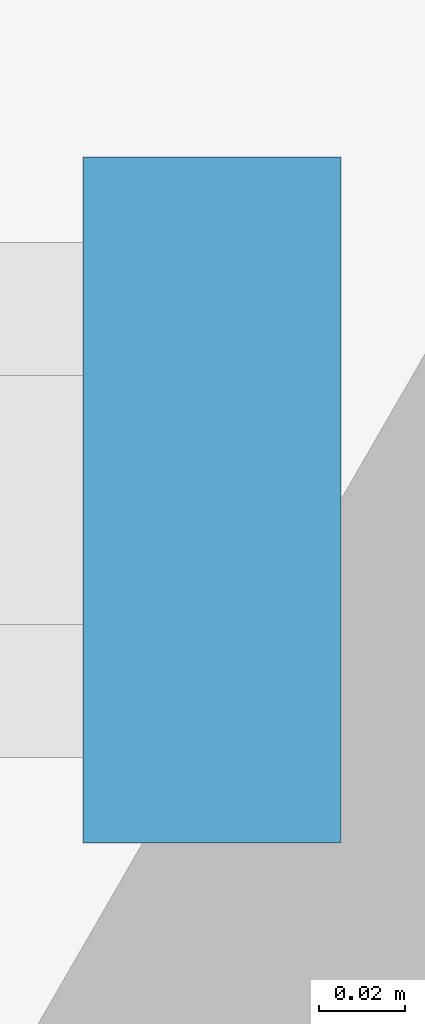
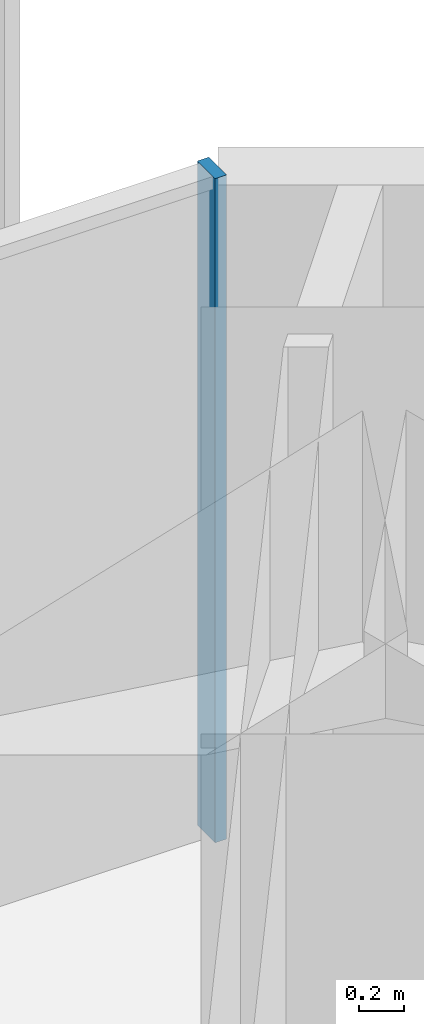
# One storey, part 109 of 127: 1 member, 1 element without a shape of its own.
"""IFC4 building model written with IfcOpenShell, lengths in metres."""

import ifcopenshell
import ifcopenshell.guid

model = None  # the IFC model being written
_history = None  # IfcOwnerHistory: only IFC2X3 demands one
_inside = {}  # id of a spatial element -> (the spatial element, [elements in it])
_under = {}  # id of a project, library or spatial element -> (it, [spatial elements below it])
_declared = {}  # id of a project -> (the project, [libraries it declares])
_typed = {}  # id of a type object -> (the type object, [elements of that type])
_made_of = {}  # id of a material, layer set ... -> (it, [elements and type objects made of it])


def new_model(schema):
    """Start an empty IFC model of exactly this schema.

    Asked for "IFC4X3", IfcOpenShell would pick the latest addendum, in which some entities
    have other attributes; the version numbers below select the first issue.
    IFC2X3 requires an IfcOwnerHistory on every rooted entity: one is made here for all.
    """
    global model, _history
    if schema == "IFC4X3":
        model = ifcopenshell.file(schema_version=(4, 3, 0, 0))
    else:
        model = ifcopenshell.file(schema=schema)
    _inside.clear()
    _under.clear()
    _declared.clear()
    _typed.clear()
    _made_of.clear()
    _history = None
    if model.schema == "IFC2X3":
        org = make("IfcOrganization", Name="unknown")
        user = make(
            "IfcPersonAndOrganization",
            ThePerson=make("IfcPerson", FamilyName="unknown"),
            TheOrganization=org,
        )
        app = make(
            "IfcApplication",
            ApplicationDeveloper=org,
            Version="unknown",
            ApplicationFullName="unknown",
            ApplicationIdentifier="unknown",
        )
        _history = make(
            "IfcOwnerHistory",
            OwningUser=user,
            OwningApplication=app,
            ChangeAction="ADDED",
            CreationDate=0,
        )
    return model


def make(cls, **values):
    """One entity of the class cls with the attributes given. An attribute that is None is left unset."""
    return model.create_entity(
        cls, **{name: value for name, value in values.items() if value is not None}
    )


def rooted(cls, **values):
    """An entity with a GlobalId (a new one), such as an element, a storey or a relation."""
    return make(cls, GlobalId=ifcopenshell.guid.new(), OwnerHistory=_history, **values)


def si_unit(unit_type, name, prefix=None):
    """IfcSIUnit, for example si_unit("LENGTHUNIT", "METRE", prefix="MILLI")."""
    return make("IfcSIUnit", UnitType=unit_type, Prefix=prefix, Name=name)


def assignment(units):
    """IfcUnitAssignment: the units of a project."""
    return None if units is None else make("IfcUnitAssignment", Units=units)


def point(xyz):
    """IfcCartesianPoint."""
    return None if xyz is None else make("IfcCartesianPoint", Coordinates=xyz)


def direction(xyz):
    """IfcDirection."""
    return None if xyz is None else make("IfcDirection", DirectionRatios=xyz)


def frame(location, z_axis=None, x_axis=None):
    """IfcAxis2Placement3D, a coordinate frame: its origin and axes. An axis left out is left unset."""
    return make(
        "IfcAxis2Placement3D",
        Location=point(location),
        Axis=direction(z_axis),
        RefDirection=direction(x_axis),
    )


def frame_2d(location, x_axis=None):
    """IfcAxis2Placement2D, a coordinate frame in the plane: its origin and x axis."""
    return make(
        "IfcAxis2Placement2D", Location=point(location), RefDirection=direction(x_axis)
    )


def origin():
    """The frame at (0, 0, 0) with its axes left unset."""
    return frame((0.0, 0.0, 0.0))


def origin_2d():
    """The frame at (0, 0) in the plane with its x axis left unset."""
    return frame_2d((0.0, 0.0))


def place(relative_to, where):
    """IfcLocalPlacement: puts the frame where relative to a parent placement (None: the world)."""
    return make(
        "IfcLocalPlacement", PlacementRelTo=relative_to, RelativePlacement=where
    )


def context(
    kind, dimensions, precision=None, world=None, true_north=None, identifier=None
):
    """IfcGeometricRepresentationContext, for example the 3D "Model" context."""
    return make(
        "IfcGeometricRepresentationContext",
        ContextIdentifier=identifier,
        ContextType=kind,
        CoordinateSpaceDimension=dimensions,
        Precision=precision,
        WorldCoordinateSystem=world,
        TrueNorth=true_north,
    )


def subcontext(parent, identifier, kind, view, scale=None):
    """IfcGeometricRepresentationSubContext, for example "Body" below "Model"."""
    return make(
        "IfcGeometricRepresentationSubContext",
        ContextIdentifier=identifier,
        ContextType=kind,
        ParentContext=parent,
        TargetScale=scale,
        TargetView=view,
    )


def project(units=None, contexts=None):
    """IfcProject with its units and contexts."""
    return rooted(
        "IfcProject",
        Name="project",
        RepresentationContexts=contexts,
        UnitsInContext=assignment(units),
    )


def spatial(cls, under=None, at=None, **own):
    """A site, building, storey or space (cls), placed at a placement, below another one or the project."""
    s = rooted(cls, ObjectPlacement=at, **own)
    if under is not None:
        _under.setdefault(under.id(), (under, []))[1].append(s)
    return s


def profile(cls, at=None, kind="AREA", **sizes):
    """A parametric profile (cls). Its sizes go by their IFC names, for example OverallWidth=200.0."""
    return make(cls, ProfileType=kind, Position=at, **sizes)


def rectangle(**sizes):
    """IfcRectangleProfileDef."""
    return profile("IfcRectangleProfileDef", **sizes)


def extrude(swept, where, along, depth):
    """IfcExtrudedAreaSolid: the profile swept, set in the frame where, extruded along a direction by depth."""
    return make(
        "IfcExtrudedAreaSolid",
        SweptArea=swept,
        Position=where,
        ExtrudedDirection=direction(along),
        Depth=depth,
    )


def shape(context_of_items, identifier, shape_type, items):
    """IfcShapeRepresentation: the items that make up one representation, for example the "Body"."""
    return make(
        "IfcShapeRepresentation",
        ContextOfItems=context_of_items,
        RepresentationIdentifier=identifier,
        RepresentationType=shape_type,
        Items=items,
    )


def material(Name=None, Category=None):
    """IfcMaterial."""
    return make("IfcMaterial", Name=Name, Category=Category)


def material_profile(
    of_material, cross_section, Name=None, Category=None, Priority=None
):
    """IfcMaterialProfile: a cross section and its material."""
    return make(
        "IfcMaterialProfile",
        Name=Name,
        Material=of_material,
        Profile=cross_section,
        Priority=Priority,
        Category=Category,
    )


def profile_set(profiles, Name=None, composite=None):
    """IfcMaterialProfileSet."""
    return make(
        "IfcMaterialProfileSet",
        Name=Name,
        MaterialProfiles=profiles,
        CompositeProfile=composite,
    )


def made_of(thing, what):
    """Note that an element or type object is made of a material, layer set ...; save() writes the relation."""
    if what is not None:
        _made_of.setdefault(what.id(), (what, []))[1].append(thing)
    return thing


def type_object(cls, material=None, **own):
    """A type object (cls), such as IfcWallType, which elements share."""
    return made_of(rooted(cls, **own), material)


def element(
    cls,
    number,
    at=None,
    inside=None,
    cuts=None,
    type_object=None,
    material=None,
    context=None,
    identifier="Body",
    shape_type=None,
    held_by="IfcProductDefinitionShape",
    body=None,
    shapes=None,
    **own,
):
    """One element of the class cls, such as IfcWall. Its Tag is "e" and its number.

    at: its placement. inside: the storey or other place that contains it. cuts: it is an
    opening in that element (IfcRelVoidsElement). A single representation is given by context,
    identifier, shape_type and body (its items); several are given by shapes. held_by: the class
    of the entity that holds the representations. save() writes the other relations.
    """
    e = rooted(cls, Tag="e%d" % number, ObjectPlacement=at, **own)
    if body is not None:
        shapes = [shape(context, identifier, shape_type, body)]
    if shapes is not None:
        e.Representation = make(held_by, Representations=shapes)
    if inside is not None:
        _inside.setdefault(inside.id(), (inside, []))[1].append(e)
    if cuts is not None:
        rooted(
            "IfcRelVoidsElement", RelatingBuildingElement=cuts, RelatedOpeningElement=e
        )
    if type_object is not None:
        _typed.setdefault(type_object.id(), (type_object, []))[1].append(e)
    return made_of(e, material)


def aggregate(whole, parts):
    """IfcRelAggregates: a whole, such as a stair, and the parts it consists of."""
    return rooted("IfcRelAggregates", RelatingObject=whole, RelatedObjects=parts)


def save(model, path):
    """Write the relations noted so far, then the file.

    IfcRelAggregates (storeys below a building ...), IfcRelContainedInSpatialStructure (elements
    in a storey), IfcRelDefinesByType, IfcRelAssociatesMaterial and IfcRelDeclares: one each for
    every whole, place, type object, material and project.
    """
    for whole, parts in _under.values():
        aggregate(whole, parts)
    for where, things in _inside.values():
        rooted(
            "IfcRelContainedInSpatialStructure",
            RelatedElements=things,
            RelatingStructure=where,
        )
    for kind, things in _typed.values():
        rooted("IfcRelDefinesByType", RelatedObjects=things, RelatingType=kind)
    for what, things in _made_of.values():
        rooted("IfcRelAssociatesMaterial", RelatedObjects=things, RelatingMaterial=what)
    for by, libraries in _declared.values():
        rooted("IfcRelDeclares", RelatingContext=by, RelatedDefinitions=libraries)
    model.write(path)


model = new_model("IFC4")

# Units and contexts
model_context = context("Model", 3, precision=1e-05, world=origin(), true_north=direction((0.0, 1.0)))
body_context = subcontext(model_context, "Body", "Model", "MODEL_VIEW")
ifc_project = project(units=[si_unit("LENGTHUNIT", "METRE"), si_unit("AREAUNIT", "SQUARE_METRE"), si_unit("VOLUMEUNIT", "CUBIC_METRE"), si_unit("PLANEANGLEUNIT", "RADIAN"), si_unit("MASSUNIT", "GRAM", prefix="KILO")], contexts=[model_context])

# Site, building, storey
site_placement = place(None, origin())
site = spatial("IfcSite", under=ifc_project, at=site_placement, CompositionType="ELEMENT")
building_placement = place(site_placement, origin())
building = spatial("IfcBuilding", under=site, at=building_placement, Name="Sandreach Pilgrim Tower", CompositionType="ELEMENT")
storey_placement = place(building_placement, frame((0.0, 0.0, 257.0)))
storey = spatial("IfcBuildingStorey", under=building, at=storey_placement, Name="L64", CompositionType="ELEMENT", Elevation=257.0)

# Curtain wall, member
ifc_material_1 = material(Name="Aluminium framed curtain wall", Category="aluminium")
curtain_wall_type = type_object("IfcCurtainWallType", Name="Suite tower curtain wall", PredefinedType="NOTDEFINED", material=ifc_material_1)
curtain_wall_placement = place(storey_placement, origin())
curtain_wall = element("IfcCurtainWall", 1, at=curtain_wall_placement, inside=storey, type_object=curtain_wall_type, Name="CW-4 L64 N", PredefinedType="NOTDEFINED")
ifc_material_2 = material(Name="Aluminium extrusion", Category="aluminium")
ifc_material_profile = material_profile(ifc_material_2, rectangle(XDim=0.06005859375, YDim=0.159912109375, at=origin_2d()), Name="CW-4M 60X160")
ifc_profile_set = profile_set([ifc_material_profile], Name="Aluminium extrusion")
member_type = type_object("IfcMemberType", Name="CW-4 mullion", PredefinedType="MULLION", material=ifc_profile_set)
member_placement = place(storey_placement, frame((16.268310546875, 19.826416015625, 0.0), z_axis=(0.0, 0.0, 1.0), x_axis=(1.0, 0.0, 0.0)))
member = element("IfcMember", 2, at=member_placement, type_object=member_type, Name="CW-4 mullion 10", PredefinedType="MULLION", context=body_context, shape_type="SweptSolid", body=[
    extrude(rectangle(XDim=0.06005859375, YDim=0.159912109375, at=origin_2d()), origin(), (0.0, 0.0, 1.0), 3.639892578125),
])
aggregate(curtain_wall, [member])

save(model, "model.ifc")
